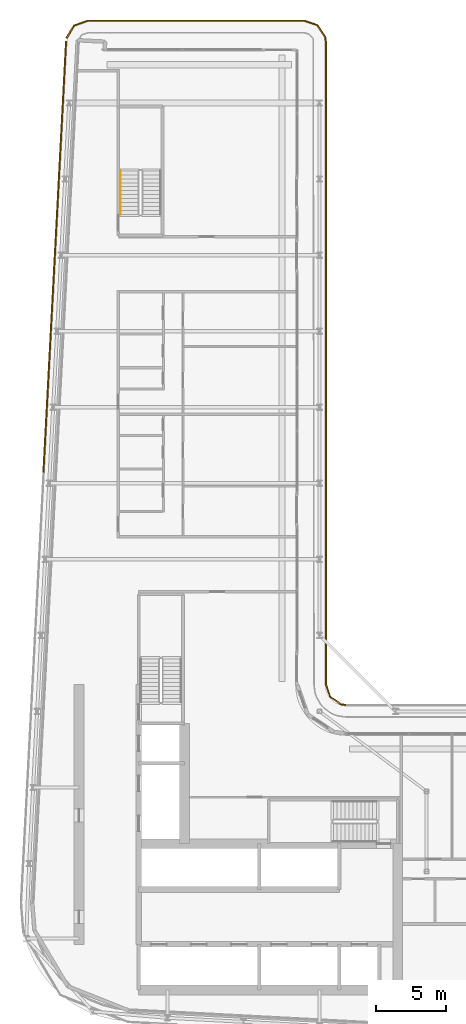
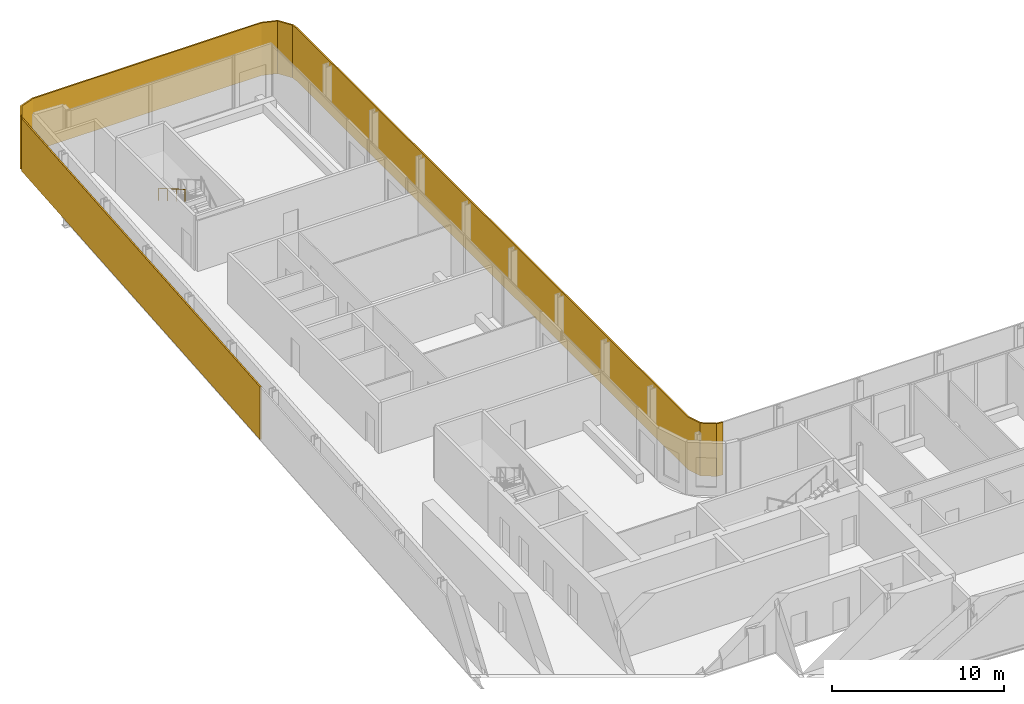
# One storey, part 19 of 21: 2 shading devices, 1 railing.
"""IFC4 building model written with IfcOpenShell, lengths in metres."""

import ifcopenshell
import ifcopenshell.guid

model = None  # the IFC model being written
_history = None  # IfcOwnerHistory: only IFC2X3 demands one
_inside = {}  # id of a spatial element -> (the spatial element, [elements in it])
_under = {}  # id of a project, library or spatial element -> (it, [spatial elements below it])
_declared = {}  # id of a project -> (the project, [libraries it declares])
_typed = {}  # id of a type object -> (the type object, [elements of that type])
_made_of = {}  # id of a material, layer set ... -> (it, [elements and type objects made of it])


def new_model(schema):
    """Start an empty IFC model of exactly this schema.

    Asked for "IFC4X3", IfcOpenShell would pick the latest addendum, in which some entities
    have other attributes; the version numbers below select the first issue.
    IFC2X3 requires an IfcOwnerHistory on every rooted entity: one is made here for all.
    """
    global model, _history
    if schema == "IFC4X3":
        model = ifcopenshell.file(schema_version=(4, 3, 0, 0))
    else:
        model = ifcopenshell.file(schema=schema)
    _inside.clear()
    _under.clear()
    _declared.clear()
    _typed.clear()
    _made_of.clear()
    _history = None
    if model.schema == "IFC2X3":
        org = make("IfcOrganization", Name="unknown")
        user = make(
            "IfcPersonAndOrganization",
            ThePerson=make("IfcPerson", FamilyName="unknown"),
            TheOrganization=org,
        )
        app = make(
            "IfcApplication",
            ApplicationDeveloper=org,
            Version="unknown",
            ApplicationFullName="unknown",
            ApplicationIdentifier="unknown",
        )
        _history = make(
            "IfcOwnerHistory",
            OwningUser=user,
            OwningApplication=app,
            ChangeAction="ADDED",
            CreationDate=0,
        )
    return model


def make(cls, **values):
    """One entity of the class cls with the attributes given. An attribute that is None is left unset."""
    return model.create_entity(
        cls, **{name: value for name, value in values.items() if value is not None}
    )


def rooted(cls, **values):
    """An entity with a GlobalId (a new one), such as an element, a storey or a relation."""
    return make(cls, GlobalId=ifcopenshell.guid.new(), OwnerHistory=_history, **values)


def si_unit(unit_type, name, prefix=None):
    """IfcSIUnit, for example si_unit("LENGTHUNIT", "METRE", prefix="MILLI")."""
    return make("IfcSIUnit", UnitType=unit_type, Prefix=prefix, Name=name)


def assignment(units):
    """IfcUnitAssignment: the units of a project."""
    return None if units is None else make("IfcUnitAssignment", Units=units)


def point(xyz):
    """IfcCartesianPoint."""
    return None if xyz is None else make("IfcCartesianPoint", Coordinates=xyz)


def direction(xyz):
    """IfcDirection."""
    return None if xyz is None else make("IfcDirection", DirectionRatios=xyz)


def frame(location, z_axis=None, x_axis=None):
    """IfcAxis2Placement3D, a coordinate frame: its origin and axes. An axis left out is left unset."""
    return make(
        "IfcAxis2Placement3D",
        Location=point(location),
        Axis=direction(z_axis),
        RefDirection=direction(x_axis),
    )


def frame_2d(location, x_axis=None):
    """IfcAxis2Placement2D, a coordinate frame in the plane: its origin and x axis."""
    return make(
        "IfcAxis2Placement2D", Location=point(location), RefDirection=direction(x_axis)
    )


def origin():
    """The frame at (0, 0, 0) with its axes left unset."""
    return frame((0.0, 0.0, 0.0))


def origin_2d():
    """The frame at (0, 0) in the plane with its x axis left unset."""
    return frame_2d((0.0, 0.0))


def place(relative_to, where):
    """IfcLocalPlacement: puts the frame where relative to a parent placement (None: the world)."""
    return make(
        "IfcLocalPlacement", PlacementRelTo=relative_to, RelativePlacement=where
    )


def context(
    kind, dimensions, precision=None, world=None, true_north=None, identifier=None
):
    """IfcGeometricRepresentationContext, for example the 3D "Model" context."""
    return make(
        "IfcGeometricRepresentationContext",
        ContextIdentifier=identifier,
        ContextType=kind,
        CoordinateSpaceDimension=dimensions,
        Precision=precision,
        WorldCoordinateSystem=world,
        TrueNorth=true_north,
    )


def subcontext(parent, identifier, kind, view, scale=None):
    """IfcGeometricRepresentationSubContext, for example "Body" below "Model"."""
    return make(
        "IfcGeometricRepresentationSubContext",
        ContextIdentifier=identifier,
        ContextType=kind,
        ParentContext=parent,
        TargetScale=scale,
        TargetView=view,
    )


def project(units=None, contexts=None):
    """IfcProject with its units and contexts."""
    return rooted(
        "IfcProject",
        Name="project",
        RepresentationContexts=contexts,
        UnitsInContext=assignment(units),
    )


def spatial(cls, under=None, at=None, **own):
    """A site, building, storey or space (cls), placed at a placement, below another one or the project."""
    s = rooted(cls, ObjectPlacement=at, **own)
    if under is not None:
        _under.setdefault(under.id(), (under, []))[1].append(s)
    return s


def polyline(points):
    """IfcPolyline through the points."""
    return make("IfcPolyline", Points=[point(p) for p in points])


def profile(cls, at=None, kind="AREA", **sizes):
    """A parametric profile (cls). Its sizes go by their IFC names, for example OverallWidth=200.0."""
    return make(cls, ProfileType=kind, Position=at, **sizes)


def rectangle(**sizes):
    """IfcRectangleProfileDef."""
    return profile("IfcRectangleProfileDef", **sizes)


def circle(**sizes):
    """IfcCircleProfileDef."""
    return profile("IfcCircleProfileDef", **sizes)


def outline(outer, holes=None, kind="AREA"):
    """IfcArbitraryClosedProfileDef: a profile drawn as a closed curve; with holes, ...WithVoids."""
    if holes is None:
        return make("IfcArbitraryClosedProfileDef", ProfileType=kind, OuterCurve=outer)
    return make(
        "IfcArbitraryProfileDefWithVoids",
        ProfileType=kind,
        OuterCurve=outer,
        InnerCurves=holes,
    )


def extrude(swept, where, along, depth):
    """IfcExtrudedAreaSolid: the profile swept, set in the frame where, extruded along a direction by depth."""
    return make(
        "IfcExtrudedAreaSolid",
        SweptArea=swept,
        Position=where,
        ExtrudedDirection=direction(along),
        Depth=depth,
    )


def shape(context_of_items, identifier, shape_type, items):
    """IfcShapeRepresentation: the items that make up one representation, for example the "Body"."""
    return make(
        "IfcShapeRepresentation",
        ContextOfItems=context_of_items,
        RepresentationIdentifier=identifier,
        RepresentationType=shape_type,
        Items=items,
    )


def material(Name=None, Category=None):
    """IfcMaterial."""
    return make("IfcMaterial", Name=Name, Category=Category)


def layer(
    of_material, thickness, ventilated=None, Name=None, Category=None, Priority=None
):
    """IfcMaterialLayer: one layer of a wall or slab, of a material (None: an air gap)."""
    return make(
        "IfcMaterialLayer",
        Material=of_material,
        LayerThickness=thickness,
        IsVentilated=ventilated,
        Name=Name,
        Category=Category,
        Priority=Priority,
    )


def layer_set(layers, Name=None):
    """IfcMaterialLayerSet."""
    return make("IfcMaterialLayerSet", MaterialLayers=layers, LayerSetName=Name)


def made_of(thing, what):
    """Note that an element or type object is made of a material, layer set ...; save() writes the relation."""
    if what is not None:
        _made_of.setdefault(what.id(), (what, []))[1].append(thing)
    return thing


def type_object(cls, material=None, **own):
    """A type object (cls), such as IfcWallType, which elements share."""
    return made_of(rooted(cls, **own), material)


def element(
    cls,
    number,
    at=None,
    inside=None,
    cuts=None,
    type_object=None,
    material=None,
    context=None,
    identifier="Body",
    shape_type=None,
    held_by="IfcProductDefinitionShape",
    body=None,
    shapes=None,
    **own,
):
    """One element of the class cls, such as IfcWall. Its Tag is "e" and its number.

    at: its placement. inside: the storey or other place that contains it. cuts: it is an
    opening in that element (IfcRelVoidsElement). A single representation is given by context,
    identifier, shape_type and body (its items); several are given by shapes. held_by: the class
    of the entity that holds the representations. save() writes the other relations.
    """
    e = rooted(cls, Tag="e%d" % number, ObjectPlacement=at, **own)
    if body is not None:
        shapes = [shape(context, identifier, shape_type, body)]
    if shapes is not None:
        e.Representation = make(held_by, Representations=shapes)
    if inside is not None:
        _inside.setdefault(inside.id(), (inside, []))[1].append(e)
    if cuts is not None:
        rooted(
            "IfcRelVoidsElement", RelatingBuildingElement=cuts, RelatedOpeningElement=e
        )
    if type_object is not None:
        _typed.setdefault(type_object.id(), (type_object, []))[1].append(e)
    return made_of(e, material)


def aggregate(whole, parts):
    """IfcRelAggregates: a whole, such as a stair, and the parts it consists of."""
    return rooted("IfcRelAggregates", RelatingObject=whole, RelatedObjects=parts)


def save(model, path):
    """Write the relations noted so far, then the file.

    IfcRelAggregates (storeys below a building ...), IfcRelContainedInSpatialStructure (elements
    in a storey), IfcRelDefinesByType, IfcRelAssociatesMaterial and IfcRelDeclares: one each for
    every whole, place, type object, material and project.
    """
    for whole, parts in _under.values():
        aggregate(whole, parts)
    for where, things in _inside.values():
        rooted(
            "IfcRelContainedInSpatialStructure",
            RelatedElements=things,
            RelatingStructure=where,
        )
    for kind, things in _typed.values():
        rooted("IfcRelDefinesByType", RelatedObjects=things, RelatingType=kind)
    for what, things in _made_of.values():
        rooted("IfcRelAssociatesMaterial", RelatedObjects=things, RelatingMaterial=what)
    for by, libraries in _declared.values():
        rooted("IfcRelDeclares", RelatingContext=by, RelatedDefinitions=libraries)
    model.write(path)


model = new_model("IFC4")

# Units and contexts
model_context = context("Model", 3, precision=1e-05, world=origin(), true_north=direction((0.0, 1.0)))
body_context = subcontext(model_context, "Body", "Model", "MODEL_VIEW")
ifc_project = project(units=[si_unit("LENGTHUNIT", "METRE"), si_unit("AREAUNIT", "SQUARE_METRE"), si_unit("VOLUMEUNIT", "CUBIC_METRE"), si_unit("PLANEANGLEUNIT", "RADIAN"), si_unit("MASSUNIT", "GRAM", prefix="KILO")], contexts=[model_context])

# Site, building, storey
site_placement = place(None, origin())
site = spatial("IfcSite", under=ifc_project, at=site_placement, CompositionType="ELEMENT")
building_placement = place(site_placement, origin())
building = spatial("IfcBuilding", under=site, at=building_placement, Name="Kheshtan School and Residences Tower", CompositionType="ELEMENT")
storey_placement = place(building_placement, frame((0.0, 0.0, 227.89990234375)))
storey = spatial("IfcBuildingStorey", under=building, at=storey_placement, Name="L53", CompositionType="ELEMENT", Elevation=227.89990234375)

# Shading devices
ifc_material_1 = material(Name="Terracotta baguette, extruded ceramic", Category="masonry")
ifc_layer_1 = layer(ifc_material_1, 0.10009765625)
ifc_layer_set_1 = layer_set([ifc_layer_1], Name="Ledge screen, terracotta baguettes")
shading_device_type_1 = type_object("IfcShadingDeviceType", Name="Ledge screen, terracotta baguettes", PredefinedType="USERDEFINED", material=ifc_layer_set_1)
shading_device_1_placement = place(storey_placement, frame((28.785888671875, 77.884033203125, 0.0), z_axis=(0.0, 0.0, 1.0), x_axis=(0.052562536748, 0.998617634398, 0.0)))
element("IfcShadingDevice", 1, at=shading_device_1_placement, inside=storey, type_object=shading_device_type_1, Name="Screen L53 5", ObjectType="BAGUETTE", PredefinedType="USERDEFINED", context=body_context, shape_type="SweptSolid", body=[
    extrude(rectangle(XDim=30.636962890625, YDim=0.10009765625, at=origin_2d()), origin(), (0.0, 0.0, 1.0), 3.75),
])
ifc_material_2 = material(Name="Terracotta lattice, extruded ceramic", Category="masonry")
ifc_layer_2 = layer(ifc_material_2, 0.10009765625)
ifc_layer_set_2 = layer_set([ifc_layer_2], Name="Loggia screen, terracotta lattice")
shading_device_type_2 = type_object("IfcShadingDeviceType", Name="Loggia screen, terracotta lattice", PredefinedType="USERDEFINED", material=ifc_layer_set_2)
shading_device_2_placement = place(storey_placement, origin())
element("IfcShadingDevice", 2, at=shading_device_2_placement, inside=storey, type_object=shading_device_type_2, Name="Screen L53 1", ObjectType="SCREEN", PredefinedType="USERDEFINED", context=body_context, shape_type="SweptSolid", body=[
    extrude(outline(polyline([(29.666015625, 93.384033203125), (30.18408203125, 94.257080078125), (31.138916015625, 94.60009765625), (46.5, 94.60009765625), (47.4130859375, 94.2900390625), (47.948974609375, 93.488037109375), (48.0, 93.10009765625), (48.0, 47.5), (48.31005859375, 46.5869140625), (49.112060546875, 46.051025390625), (49.5, 46.0), (49.512939453125, 46.09912109375), (49.14794921875, 46.14697265625), (48.39404296875, 46.65087890625), (48.10009765625, 47.51708984375), (48.10009765625, 93.10693359375), (48.044921875, 93.52392578125), (47.47705078125, 94.3740234375), (46.51708984375, 94.699951171875), (31.1220703125, 94.699951171875), (30.115966796875, 94.339111328125), (29.580078125, 93.43505859375), (29.666015625, 93.384033203125)])), origin(), (0.0, 0.0, 1.0), 3.75),
])

# Railing
ifc_material_3 = material(Name="Stainless steel handrail", Category="steel")
railing_type = type_object("IfcRailingType", Name="Stair handrail 900", PredefinedType="HANDRAIL", material=ifc_material_3)
railing_placement = place(storey_placement, frame((33.449951171875, 83.97998046875, 2.112548828125)))
element("IfcRailing", 3, at=railing_placement, inside=storey, type_object=railing_type, Name="L53 ST3 stair handrail 2", PredefinedType="HANDRAIL", context=body_context, shape_type="SweptSolid", body=[
    extrude(circle(Radius=0.02392578125, at=origin_2d()), frame((0.0, 0.0, 0.8759765625), z_axis=(0.0, -0.864890721111, 0.501960198159), x_axis=(1.0, 0.0, 0.0)), (0.0, 0.0, 1.0), 3.561279296875),
    extrude(circle(Radius=0.02099609375, at=origin_2d()), origin(), (0.0, 0.0, 1.0), 0.851806640625),
    extrude(circle(Radius=0.02099609375, at=origin_2d()), frame((0.0, -1.026611328125, 0.595947265625)), (0.0, 0.0, 1.0), 0.851806640625),
    extrude(circle(Radius=0.02099609375, at=origin_2d()), frame((0.0, -2.053466796875, 1.191650390625)), (0.0, 0.0, 1.0), 0.851806640625),
    extrude(circle(Radius=0.02099609375, at=origin_2d()), frame((0.0, -3.080078125, 1.78759765625)), (0.0, 0.0, 1.0), 0.851806640625),
])

save(model, "model.ifc")
